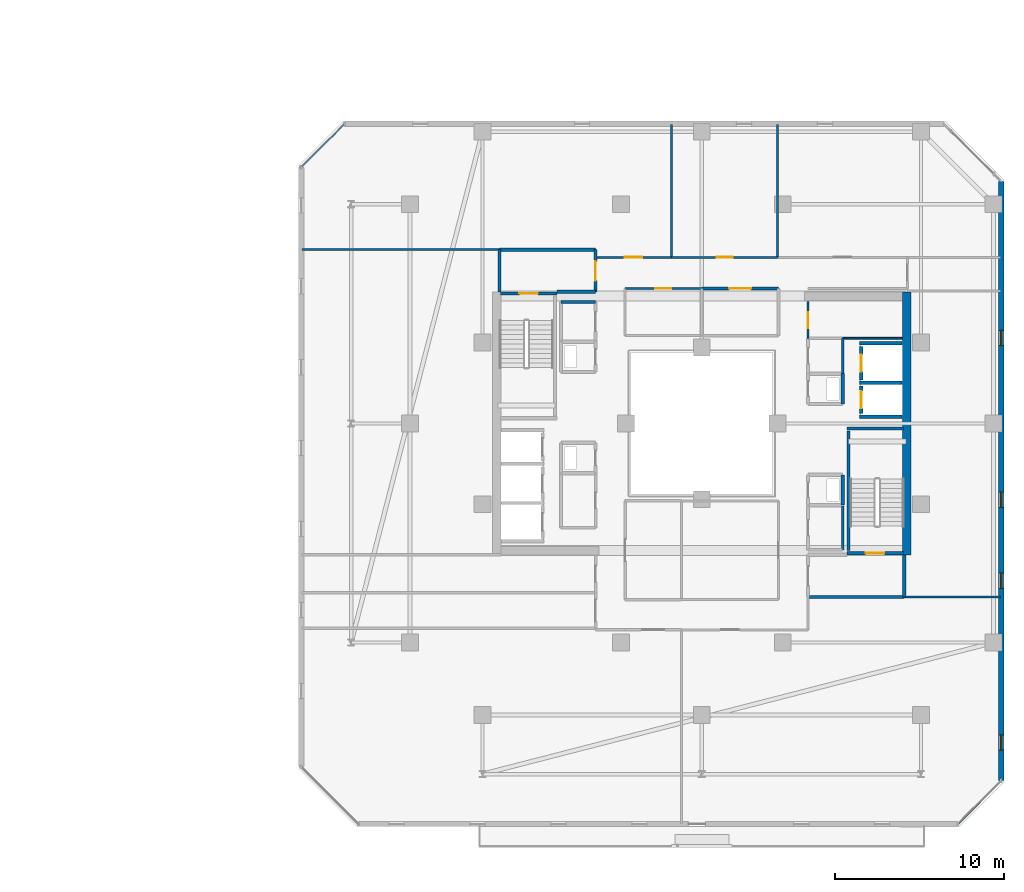
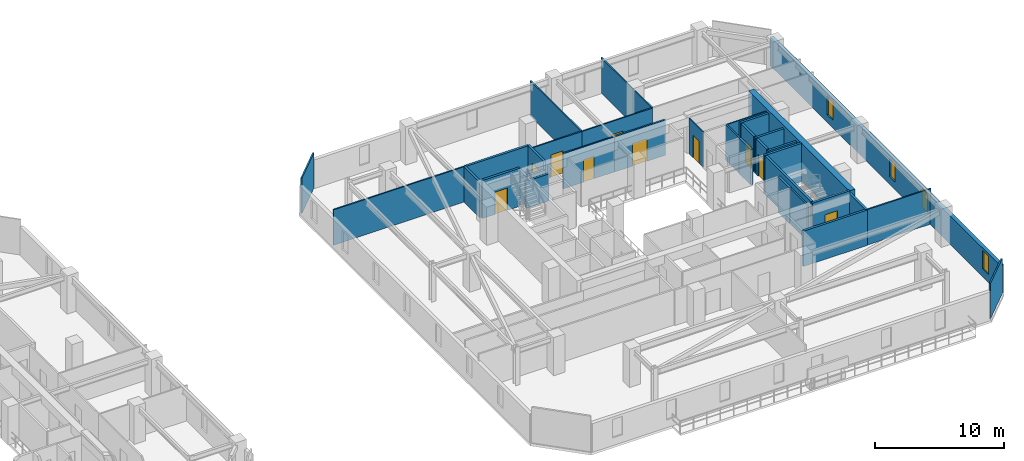
# One storey, part 25 of 33: 34 walls, 10 doors, 4 windows, 14 openings.
"""IFC4 building model written with IfcOpenShell, lengths in metres."""

from ifc_helpers import new_model, si_unit, direction, frame, frame_2d, origin, place, context, subcontext, project, spatial, rectangle, extrude, material, layer, layer_set, type_object, element, fill, save


model = new_model("IFC4")

# Units and contexts
model_context = context("Model", 3, precision=1e-05, world=origin(), true_north=direction((0.0, 1.0)))
body_context = subcontext(model_context, "Body", "Model", "MODEL_VIEW")
ifc_project = project(units=[si_unit("LENGTHUNIT", "METRE"), si_unit("AREAUNIT", "SQUARE_METRE"), si_unit("VOLUMEUNIT", "CUBIC_METRE"), si_unit("PLANEANGLEUNIT", "RADIAN"), si_unit("MASSUNIT", "GRAM", prefix="KILO")], contexts=[model_context])

# Site, building, storey
site_placement = place(None, origin())
site = spatial("IfcSite", under=ifc_project, at=site_placement, CompositionType="ELEMENT")
building_placement = place(site_placement, origin())
building = spatial("IfcBuilding", under=site, at=building_placement, Name="Thornwick Lancets Civic Towers", CompositionType="ELEMENT")
storey_placement = place(building_placement, frame((0.0, 0.0, 210.89990234375)))
storey = spatial("IfcBuildingStorey", under=building, at=storey_placement, Name="L56", CompositionType="ELEMENT", Elevation=210.89990234375)

# Wall, opening, door
ifc_material_1 = material(Name="Concrete blockwork C40/50", Category="masonry")
ifc_layer_1 = layer(ifc_material_1, 0.199951171875, Name="Concrete blockwork C40/50")
ifc_layer_set_1 = layer_set([ifc_layer_1], Name="Concrete blockwork C40/50")
wall_type_1 = type_object("IfcWallType", Name="WALL_COMP_200", PredefinedType="STANDARD", material=ifc_layer_set_1)
wall_1_placement = place(storey_placement, frame((97.949951171875, 29.219970703125, 0.0), z_axis=(0.0, 0.0, 1.0), x_axis=(0.0, -1.0, 0.0)))
wall_1 = element("IfcWall", 1, at=wall_1_placement, inside=storey, type_object=wall_type_1, Name="L56 Hoistway Front Wall FL-B1", PredefinedType="STANDARD", context=body_context, shape_type="SweptSolid", body=[
    extrude(rectangle(XDim=1.639892578125, YDim=0.199951171875, at=frame_2d((0.81982421875, 0.0))), origin(), (0.0, 0.0, 1.0), 3.340087890625),
])
opening_1_placement = place(wall_1_placement, frame((0.31005859375, 0.0, 0.0)))
opening_1 = element("IfcOpeningElement", 2, at=opening_1_placement, cuts=wall_1, Name="Opening LD-FL-B1", PredefinedType="OPENING", context=body_context, shape_type="SweptSolid", body=[
    extrude(rectangle(XDim=1.02001953125, YDim=2.06005859375, at=frame_2d((0.510009765625, 1.030029296875))), frame((0.0, 0.10986328125, 0.0), z_axis=(0.0, -1.0, 0.0), x_axis=(1.0, 0.0, 0.0)), (0.0, 0.0, 1.0), 0.219970703125),
])
ifc_material_2 = material(Name="Brushed bronze stainless steel", Category="steel")
door_type_1 = type_object("IfcDoorType", Name="DOOR_LIFT_SLIDE", OperationType="SLIDING_TO_LEFT", PredefinedType="DOOR", material=ifc_material_2)
door_1_placement = place(opening_1_placement, origin())
door_1 = element("IfcDoor", 3, at=door_1_placement, inside=storey, type_object=door_type_1, Name="L56 Sliding Lift Landing Door LD-FL-B1", OperationType="SLIDING_TO_LEFT", OverallHeight=2.06005859375, OverallWidth=1.02001953125, PredefinedType="DOOR", context=body_context, shape_type="SweptSolid", body=[
    extrude(rectangle(XDim=1.02001953125, YDim=2.06005859375, at=frame_2d((0.510009765625, 1.030029296875))), frame((0.0, 0.02490234375, 0.0), z_axis=(0.0, -1.0, 0.0), x_axis=(1.0, 0.0, 0.0)), (0.0, 0.0, 1.0), 0.050048828125),
])
fill(opening_1, door_1)

wall_2_placement = place(storey_placement, frame((97.949951171875, 31.570068359375, 0.0), z_axis=(0.0, 0.0, 1.0), x_axis=(0.0, -1.0, 0.0)))
wall_2 = element("IfcWall", 4, at=wall_2_placement, inside=storey, type_object=wall_type_1, Name="L56 Hoistway Front Wall PL-BH1", PredefinedType="STANDARD", context=body_context, shape_type="SweptSolid", body=[
    extrude(rectangle(XDim=1.989990234375, YDim=0.199951171875, at=frame_2d((0.9951171875, 0.0))), origin(), (0.0, 0.0, 1.0), 3.340087890625),
])
opening_2_placement = place(wall_2_placement, frame((0.485107421875, 0.0, 0.0)))
opening_2 = element("IfcOpeningElement", 5, at=opening_2_placement, cuts=wall_2, Name="Opening LD-PL-BH1", PredefinedType="OPENING", context=body_context, shape_type="SweptSolid", body=[
    extrude(rectangle(XDim=1.02001953125, YDim=2.06005859375, at=frame_2d((0.510009765625, 1.030029296875))), frame((0.0, 0.10986328125, 0.0), z_axis=(0.0, -1.0, 0.0), x_axis=(1.0, 0.0, 0.0)), (0.0, 0.0, 1.0), 0.219970703125),
])
door_2_placement = place(opening_2_placement, origin())
door_2 = element("IfcDoor", 6, at=door_2_placement, inside=storey, type_object=door_type_1, Name="L56 Sliding Lift Landing Door LD-PL-BH1", OperationType="SLIDING_TO_LEFT", OverallHeight=2.06005859375, OverallWidth=1.02001953125, PredefinedType="DOOR", context=body_context, shape_type="SweptSolid", body=[
    extrude(rectangle(XDim=1.02001953125, YDim=2.06005859375, at=frame_2d((0.510009765625, 1.030029296875))), frame((0.0, 0.02490234375, 0.0), z_axis=(0.0, -1.0, 0.0), x_axis=(1.0, 0.0, 0.0)), (0.0, 0.0, 1.0), 0.050048828125),
])
fill(opening_2, door_2)

# Walls
for number, where, z_axis, x_axis, name in (
    (7, (97.85205078125, 29.39990234375, 0.0), (0.0, 0.0, 1.0), (1.0, 0.0, 0.0), "L56 Hoistway Shaft Wall FL-B1 N"),
    (8, (97.85205078125, 27.39990234375, 0.0), (0.0, 0.0, 1.0), (1.0, 0.0, 0.0), "L56 Hoistway Shaft Wall FL-B1 S"),
    (9, (97.85205078125, 31.75, 0.0), (0.0, 0.0, 1.0), (1.0, 0.0, 0.0), "L56 Hoistway Shaft Wall PL-BH1 N"),
):
    element("IfcWall", number, at=place(storey_placement, frame(where, z_axis=z_axis, x_axis=x_axis)), inside=storey, type_object=wall_type_1, Name=name, PredefinedType="STANDARD", context=body_context, shape_type="SweptSolid", body=[
        extrude(rectangle(XDim=2.535888671875, YDim=0.199951171875, at=frame_2d((1.26806640625, 0.0))), origin(), (0.0, 0.0, 1.0), 3.340087890625),
    ])
wall_3_placement = place(storey_placement, frame((94.800048828125, 16.699951171875, 0.0), z_axis=(0.0, 0.0, 1.0), x_axis=(1.0, 0.0, 0.0)))
element("IfcWall", 10, at=wall_3_placement, inside=storey, type_object=wall_type_1, Name="L56 Partition L56-B-FFLOB1 E1", PredefinedType="STANDARD", context=body_context, shape_type="SweptSolid", body=[
    extrude(rectangle(XDim=5.699951171875, YDim=0.199951171875, at=frame_2d((2.85009765625, 0.0))), origin(), (0.0, 0.0, 1.0), 3.340087890625),
])
wall_4_placement = place(storey_placement, frame((100.5, 16.699951171875, 0.0), z_axis=(0.0, 0.0, 1.0), x_axis=(0.0, 1.0, 0.0)))
element("IfcWall", 11, at=wall_4_placement, inside=storey, type_object=wall_type_1, Name="L56 Partition L56-B-FFLOB1 E2", PredefinedType="STANDARD", context=body_context, shape_type="SweptSolid", body=[
    extrude(rectangle(XDim=2.5, YDim=0.199951171875, at=frame_2d((1.25, 0.0))), origin(), (0.0, 0.0, 1.0), 3.340087890625),
])
wall_5_placement = place(storey_placement, frame((79.89990234375, 34.800048828125, 0.0), z_axis=(0.0, 0.0, 1.0), x_axis=(1.0, 0.0, 0.0)))
element("IfcWall", 12, at=wall_5_placement, inside=storey, type_object=wall_type_1, Name="L56 Partition L56-B-FFLOB2 E1", PredefinedType="STANDARD", context=body_context, shape_type="SweptSolid", body=[
    extrude(rectangle(XDim=2.300048828125, YDim=0.199951171875, at=frame_2d((1.14990234375, 0.0))), origin(), (0.0, 0.0, 1.0), 2.545166015625),
])

# Wall, opening, door
wall_6_placement = place(storey_placement, frame((82.199951171875, 34.800048828125, 0.0), z_axis=(0.0, 0.0, 1.0), x_axis=(0.0, 1.0, 0.0)))
wall_6 = element("IfcWall", 13, at=wall_6_placement, inside=storey, type_object=wall_type_1, Name="L56 Partition L56-B-FFLOB2 E2", PredefinedType="STANDARD", context=body_context, shape_type="SweptSolid", body=[
    extrude(rectangle(XDim=2.5, YDim=0.199951171875, at=frame_2d((1.25, 0.0))), origin(), (0.0, 0.0, 1.0), 3.340087890625),
])
opening_3_placement = place(wall_6_placement, frame((0.659912109375, 0.0, 0.0)))
opening_3 = element("IfcOpeningElement", 14, at=opening_3_placement, cuts=wall_6, Name="Opening D-L56-2491", PredefinedType="OPENING", context=body_context, shape_type="SweptSolid", body=[
    extrude(rectangle(XDim=1.14990234375, YDim=2.10009765625, at=frame_2d((0.574951171875, 1.050048828125))), frame((0.0, 0.10986328125, 0.0), z_axis=(0.0, -1.0, 0.0), x_axis=(1.0, 0.0, 0.0)), (0.0, 0.0, 1.0), 0.219970703125),
])
ifc_material_3 = material(Name="Glazed fire-resisting steel", Category="steel")
door_type_2 = type_object("IfcDoorType", Name="DOOR_LOBBY_FD60", OperationType="NOTDEFINED", PredefinedType="DOOR", material=ifc_material_3)
door_3_placement = place(opening_3_placement, origin())
door_3 = element("IfcDoor", 15, at=door_3_placement, inside=storey, type_object=door_type_2, Name="L56 West Firefighting Lobby 2 Door", OperationType="SINGLE_SWING_RIGHT", OverallHeight=2.10009765625, OverallWidth=1.14990234375, PredefinedType="DOOR", context=body_context, shape_type="SweptSolid", body=[
    extrude(rectangle(XDim=1.14990234375, YDim=2.10009765625, at=frame_2d((0.574951171875, 1.050048828125))), frame((0.0, 0.02490234375, 0.0), z_axis=(0.0, -1.0, 0.0), x_axis=(1.0, 0.0, 0.0)), (0.0, 0.0, 1.0), 0.050048828125),
])
fill(opening_3, door_3)

# Walls
wall_7_placement = place(storey_placement, frame((82.199951171875, 37.300048828125, 0.0), z_axis=(0.0, 0.0, 1.0), x_axis=(-1.0, 0.0, 0.0)))
element("IfcWall", 16, at=wall_7_placement, inside=storey, type_object=wall_type_1, Name="L56 Partition L56-B-FFLOB2 E3", PredefinedType="STANDARD", context=body_context, shape_type="SweptSolid", body=[
    extrude(rectangle(XDim=5.699951171875, YDim=0.199951171875, at=frame_2d((2.85009765625, 0.0))), origin(), (0.0, 0.0, 1.0), 3.340087890625),
])
wall_8_placement = place(storey_placement, frame((76.5, 37.300048828125, 0.0), z_axis=(0.0, 0.0, 1.0), x_axis=(0.0, -1.0, 0.0)))
element("IfcWall", 17, at=wall_8_placement, inside=storey, type_object=wall_type_1, Name="L56 Partition L56-B-FFLOB2 E4", PredefinedType="STANDARD", context=body_context, shape_type="SweptSolid", body=[
    extrude(rectangle(XDim=2.5, YDim=0.199951171875, at=frame_2d((1.25, 0.0))), origin(), (0.0, 0.0, 1.0), 3.340087890625),
])
for number, where, z_axis, x_axis, name in (
    (18, (96.85009765625, 28.14990234375, 0.0), (0.0, 0.0, 1.0), (0.0, 1.0, 0.0), "L56 Partition L56-B-DUCT1 E2"),
    (19, (96.85009765625, 22.14990234375, 0.0), (0.0, 0.0, 1.0), (0.0, 1.0, 0.0), "L56 Partition L56-B-RISER1 E2"),
):
    element("IfcWall", number, at=place(storey_placement, frame(where, z_axis=z_axis, x_axis=x_axis)), inside=storey, type_object=wall_type_1, Name=name, PredefinedType="STANDARD", context=body_context, shape_type="SweptSolid", body=[
        extrude(rectangle(XDim=1.800048828125, YDim=0.199951171875, at=frame_2d((0.89990234375, 0.0))), origin(), (0.0, 0.0, 1.0), 3.340087890625),
    ])
wall_9_placement = place(storey_placement, frame((80.14990234375, 34.199951171875, 0.0), z_axis=(0.0, 0.0, 1.0), x_axis=(1.0, 0.0, 0.0)))
element("IfcWall", 20, at=wall_9_placement, inside=storey, type_object=wall_type_1, Name="L56 Partition L56-B-STR E2", PredefinedType="STANDARD", context=body_context, shape_type="SweptSolid", body=[
    extrude(rectangle(XDim=2.050048828125, YDim=0.199951171875, at=frame_2d((1.02490234375, 0.0))), origin(), (0.0, 0.0, 1.0), 2.545166015625),
])
ifc_material_4 = material(Name="Concrete C50/60", Category="concrete")
ifc_layer_2 = layer(ifc_material_4, 0.5, Name="Concrete C50/60")
ifc_layer_set_2 = layer_set([ifc_layer_2], Name="Concrete C50/60")
wall_type_2 = type_object("IfcWallType", Name="WALL_CORE_500", PredefinedType="SHEAR", material=ifc_layer_set_2)
wall_10_placement = place(storey_placement, frame((100.64990234375, 19.199951171875, 0.0), z_axis=(0.0, 0.0, 1.0), x_axis=(0.0, 1.0, 0.0)))
element("IfcWall", 21, at=wall_10_placement, inside=storey, type_object=wall_type_2, Name="L56 Split Core B1 Shear Wall E", PredefinedType="SHEAR", context=body_context, shape_type="SweptSolid", body=[
    extrude(rectangle(XDim=15.60009765625, YDim=0.5, at=frame_2d((7.800048828125, 0.0))), origin(), (0.0, 0.0, 1.0), 3.60009765625),
])

# Wall, openings, windows
ifc_material_5 = material(Name="Insulated buff terracotta rainscreen on concrete C40/50", Category="masonry")
ifc_layer_3 = layer(ifc_material_5, 0.320068359375, Name="Insulated buff terracotta rainscreen on concrete C40/50")
ifc_layer_set_3 = layer_set([ifc_layer_3], Name="Insulated buff terracotta rainscreen on concrete C40/50")
wall_type_3 = type_object("IfcWallType", Name="WALL_EXT_TERRA_320", PredefinedType="STANDARD", material=ifc_layer_set_3)
wall_11_placement = place(storey_placement, frame((106.2646484375, 5.818603515625, 0.0), z_axis=(0.0, 0.0, 1.0), x_axis=(-7.5574884e-05, 0.999999997144, 0.0)))
wall_11 = element("IfcWall", 22, at=wall_11_placement, inside=storey, type_object=wall_type_3, Name="L56 Tower B Terracotta Facade Wall E2", PredefinedType="STANDARD", context=body_context, shape_type="SweptSolid", body=[
    extrude(rectangle(XDim=35.534912109375, YDim=0.320068359375, at=frame_2d((17.767578125, 0.0))), origin(), (0.0, 0.0, 1.0), 2.7001953125),
])
opening_4_placement = place(wall_11_placement, frame((1.800048828125, 0.0, 0.719970703125)))
opening_4 = element("IfcOpeningElement", 23, at=opening_4_placement, cuts=wall_11, Name="Opening WL-01", PredefinedType="OPENING", context=body_context, shape_type="SweptSolid", body=[
    extrude(rectangle(XDim=0.89990234375, YDim=1.75, at=frame_2d((0.449951171875, 0.875))), frame((0.0, 0.169921875, 0.0), z_axis=(0.0, -1.0, 0.0), x_axis=(1.0, 0.0, 0.0)), (0.0, 0.0, 1.0), 0.340087890625),
])
opening_5_placement = place(wall_11_placement, frame((11.39990234375, 0.0, 0.719970703125)))
opening_5 = element("IfcOpeningElement", 24, at=opening_5_placement, cuts=wall_11, Name="Opening WL-01", PredefinedType="OPENING", context=body_context, shape_type="SweptSolid", body=[
    extrude(rectangle(XDim=0.89990234375, YDim=1.75, at=frame_2d((0.449951171875, 0.875))), frame((0.0, 0.169921875, 0.0), z_axis=(0.0, -1.0, 0.0), x_axis=(1.0, 0.0, 0.0)), (0.0, 0.0, 1.0), 0.340087890625),
])
opening_6_placement = place(wall_11_placement, frame((16.199951171875, 0.0, 0.719970703125)))
opening_6 = element("IfcOpeningElement", 25, at=opening_6_placement, cuts=wall_11, Name="Opening WL-01", PredefinedType="OPENING", context=body_context, shape_type="SweptSolid", body=[
    extrude(rectangle(XDim=0.89990234375, YDim=1.75, at=frame_2d((0.449951171875, 0.875))), frame((0.0, 0.169921875, 0.0), z_axis=(0.0, -1.0, 0.0), x_axis=(1.0, 0.0, 0.0)), (0.0, 0.0, 1.0), 0.340087890625),
])
opening_7_placement = place(wall_11_placement, frame((25.800048828125, 0.0, 0.719970703125)))
opening_7 = element("IfcOpeningElement", 26, at=opening_7_placement, cuts=wall_11, Name="Opening WL-01", PredefinedType="OPENING", context=body_context, shape_type="SweptSolid", body=[
    extrude(rectangle(XDim=0.89990234375, YDim=1.75, at=frame_2d((0.449951171875, 0.875))), frame((0.0, 0.169921875, 0.0), z_axis=(0.0, -1.0, 0.0), x_axis=(1.0, 0.0, 0.0)), (0.0, 0.0, 1.0), 0.340087890625),
])
ifc_material_6 = material(Name="Clear low-e double glazing in bronze frame", Category="glass")
window_type = type_object("IfcWindowType", Name="WIN_LANCET_900", PartitioningType="SINGLE_PANEL", PredefinedType="WINDOW", material=ifc_material_6)
window_1_placement = place(opening_4_placement, origin())
window_1 = element("IfcWindow", 27, at=window_1_placement, inside=storey, type_object=window_type, Name="L56 Tower B Staggered Lancet Window E2-1", OverallHeight=1.75, OverallWidth=0.89990234375, PartitioningType="SINGLE_PANEL", PredefinedType="WINDOW", context=body_context, shape_type="SweptSolid", body=[
    extrude(rectangle(XDim=0.89990234375, YDim=1.75, at=frame_2d((0.449951171875, 0.875))), frame((0.0, 0.030029296875, 0.0), z_axis=(0.0, -1.0, 0.0), x_axis=(1.0, 0.0, 0.0)), (0.0, 0.0, 1.0), 0.06005859375),
])
fill(opening_4, window_1)
window_2_placement = place(opening_5_placement, origin())
window_2 = element("IfcWindow", 28, at=window_2_placement, inside=storey, type_object=window_type, Name="L56 Tower B Staggered Lancet Window E2-2", OverallHeight=1.75, OverallWidth=0.89990234375, PartitioningType="SINGLE_PANEL", PredefinedType="WINDOW", context=body_context, shape_type="SweptSolid", body=[
    extrude(rectangle(XDim=0.89990234375, YDim=1.75, at=frame_2d((0.449951171875, 0.875))), frame((0.0, 0.030029296875, 0.0), z_axis=(0.0, -1.0, 0.0), x_axis=(1.0, 0.0, 0.0)), (0.0, 0.0, 1.0), 0.06005859375),
])
fill(opening_5, window_2)
window_3_placement = place(opening_6_placement, origin())
window_3 = element("IfcWindow", 29, at=window_3_placement, inside=storey, type_object=window_type, Name="L56 Tower B Staggered Lancet Window E2-3", OverallHeight=1.75, OverallWidth=0.89990234375, PartitioningType="SINGLE_PANEL", PredefinedType="WINDOW", context=body_context, shape_type="SweptSolid", body=[
    extrude(rectangle(XDim=0.89990234375, YDim=1.75, at=frame_2d((0.449951171875, 0.875))), frame((0.0, 0.030029296875, 0.0), z_axis=(0.0, -1.0, 0.0), x_axis=(1.0, 0.0, 0.0)), (0.0, 0.0, 1.0), 0.06005859375),
])
fill(opening_6, window_3)
window_4_placement = place(opening_7_placement, origin())
window_4 = element("IfcWindow", 30, at=window_4_placement, inside=storey, type_object=window_type, Name="L56 Tower B Staggered Lancet Window E2-4", OverallHeight=1.75, OverallWidth=0.89990234375, PartitioningType="SINGLE_PANEL", PredefinedType="WINDOW", context=body_context, shape_type="SweptSolid", body=[
    extrude(rectangle(XDim=0.89990234375, YDim=1.75, at=frame_2d((0.449951171875, 0.875))), frame((0.0, 0.030029296875, 0.0), z_axis=(0.0, -1.0, 0.0), x_axis=(1.0, 0.0, 0.0)), (0.0, 0.0, 1.0), 0.06005859375),
])
fill(opening_7, window_4)

# Wall, opening, door
ifc_material_7 = material(Name="Lightweight cellular office partition")
ifc_layer_4 = layer(ifc_material_7, 0.10009765625, Name="Lightweight cellular office partition")
ifc_layer_set_4 = layer_set([ifc_layer_4], Name="Lightweight cellular office partition")
wall_type_4 = type_object("IfcWallType", Name="WALL_PART_100", PredefinedType="PARTITIONING", material=ifc_layer_set_4)
wall_12_placement = place(storey_placement, frame((94.800048828125, 32.050048828125, 0.0), z_axis=(0.0, 0.0, 1.0), x_axis=(0.0, 1.0, 0.0)))
wall_12 = element("IfcWall", 31, at=wall_12_placement, inside=storey, type_object=wall_type_4, Name="L56 Partition L56-B-CLN E1", PredefinedType="PARTITIONING", context=body_context, shape_type="SweptSolid", body=[
    extrude(rectangle(XDim=2.14990234375, YDim=0.10009765625, at=frame_2d((1.074951171875, 0.0))), origin(), (0.0, 0.0, 1.0), 3.340087890625),
])
opening_8_placement = place(wall_12_placement, frame((0.60009765625, 0.0, 0.0)))
opening_8 = element("IfcOpeningElement", 32, at=opening_8_placement, cuts=wall_12, Name="Opening D-L56-2498", PredefinedType="OPENING", context=body_context, shape_type="SweptSolid", body=[
    extrude(rectangle(XDim=0.949951171875, YDim=2.10009765625, at=frame_2d((0.47509765625, 1.050048828125))), frame((0.0, 0.06005859375, 0.0), z_axis=(0.0, -1.0, 0.0), x_axis=(1.0, 0.0, 0.0)), (0.0, 0.0, 1.0), 0.1201171875),
])
ifc_material_8 = material(Name="European oak acoustic doorset")
door_type_3 = type_object("IfcDoorType", Name="DOOR_OFFICE_950", OperationType="NOTDEFINED", PredefinedType="DOOR", material=ifc_material_8)
door_4_placement = place(opening_8_placement, origin())
door_4 = element("IfcDoor", 33, at=door_4_placement, inside=storey, type_object=door_type_3, Name="L56 Tower B Cleaners Store Door", OperationType="SINGLE_SWING_LEFT", OverallHeight=2.10009765625, OverallWidth=0.949951171875, PredefinedType="DOOR", context=body_context, shape_type="SweptSolid", body=[
    extrude(rectangle(XDim=0.949951171875, YDim=2.10009765625, at=frame_2d((0.47509765625, 1.050048828125))), frame((0.0, 0.02490234375, 0.0), z_axis=(0.0, -1.0, 0.0), x_axis=(1.0, 0.0, 0.0)), (0.0, 0.0, 1.0), 0.050048828125),
])
fill(opening_8, door_4)

# Walls
wall_13_placement = place(storey_placement, frame((100.39990234375, 32.050048828125, 0.0), z_axis=(0.0, 0.0, 1.0), x_axis=(-1.0, 0.0, 0.0)))
element("IfcWall", 34, at=wall_13_placement, inside=storey, type_object=wall_type_4, Name="L56 Partition L56-B-CLN E4", PredefinedType="PARTITIONING", context=body_context, shape_type="SweptSolid", body=[
    extrude(rectangle(XDim=3.5498046875, YDim=0.10009765625, at=frame_2d((1.77490234375, 0.0))), origin(), (0.0, 0.0, 1.0), 3.340087890625),
])
ifc_material_9 = material(Name="Acoustic gypsum board partition")
ifc_layer_5 = layer(ifc_material_9, 0.1201171875, Name="Acoustic gypsum board partition")
ifc_layer_set_5 = layer_set([ifc_layer_5], Name="Acoustic gypsum board partition")
wall_type_5 = type_object("IfcWallType", Name="WALL_PART_120", PredefinedType="PARTITIONING", material=ifc_layer_set_5)
wall_14_placement = place(storey_placement, frame((100.5, 16.699951171875, 0.0), z_axis=(0.0, 0.0, 1.0), x_axis=(1.0, 0.0, 0.0)))
element("IfcWall", 35, at=wall_14_placement, inside=storey, type_object=wall_type_5, Name="L56 Partition L56-B-W1 E7", PredefinedType="PARTITIONING", context=body_context, shape_type="SweptSolid", body=[
    extrude(rectangle(XDim=5.719970703125, YDim=0.1201171875, at=frame_2d((2.85986328125, 0.0))), origin(), (0.0, 0.0, 1.0), 3.340087890625),
])
wall_15_placement = place(storey_placement, frame((106.219970703125, 5.774658203125, 0.0), z_axis=(0.0, 0.0, 1.0), x_axis=(-0.707106781187, -0.707106781187, 0.0)))
element("IfcWall", 36, at=wall_15_placement, inside=storey, type_object=wall_type_5, Name="L56 Partition L56-B-W1 E9", PredefinedType="PARTITIONING", context=body_context, shape_type="SweptSolid", body=[
    extrude(rectangle(XDim=3.52783203125, YDim=0.1201171875, at=frame_2d((1.763916015625, 0.0))), origin(), (0.0, 0.0, 1.0), 3.340087890625),
])
for number, where, z_axis, x_axis, name in (
    (37, (93.0, 36.85009765625, 0.0), (0.0, 0.0, 1.0), (0.0, 1.0, 0.0), "L56 Partition L56-B-E1 E2"),
    (38, (86.699951171875, 36.85009765625, 0.0), (0.0, 0.0, 1.0), (0.0, 1.0, 0.0), "L56 Partition L56-B-E2 E1"),
):
    element("IfcWall", number, at=place(storey_placement, frame(where, z_axis=z_axis, x_axis=x_axis)), inside=storey, type_object=wall_type_5, Name=name, PredefinedType="PARTITIONING", context=body_context, shape_type="SweptSolid", body=[
        extrude(rectangle(XDim=7.869873046875, YDim=0.1201171875, at=frame_2d((3.93505859375, 0.0))), origin(), (0.0, 0.0, 1.0), 3.340087890625),
    ])

# Wall, opening, door
wall_16_placement = place(storey_placement, frame((93.0, 36.85009765625, 0.0), z_axis=(0.0, 0.0, 1.0), x_axis=(-1.0, 0.0, 0.0)))
wall_16 = element("IfcWall", 39, at=wall_16_placement, inside=storey, type_object=wall_type_5, Name="L56 Partition L56-B-E2 E4", PredefinedType="PARTITIONING", context=body_context, shape_type="SweptSolid", body=[
    extrude(rectangle(XDim=6.300048828125, YDim=0.1201171875, at=frame_2d((3.14990234375, 0.0))), origin(), (0.0, 0.0, 1.0), 3.340087890625),
])
opening_9_placement = place(wall_16_placement, frame((2.675048828125, 0.0, 0.0)))
opening_9 = element("IfcOpeningElement", 40, at=opening_9_placement, cuts=wall_16, Name="Opening D-L56-2521", PredefinedType="OPENING", context=body_context, shape_type="SweptSolid", body=[
    extrude(rectangle(XDim=0.949951171875, YDim=2.10009765625, at=frame_2d((0.47509765625, 1.050048828125))), frame((0.0, 0.070068359375, 0.0), z_axis=(0.0, -1.0, 0.0), x_axis=(1.0, 0.0, 0.0)), (0.0, 0.0, 1.0), 0.14013671875),
])
door_5_placement = place(opening_9_placement, origin())
door_5 = element("IfcDoor", 41, at=door_5_placement, inside=storey, type_object=door_type_3, Name="L56 Tower B Visitors Reception and Waiting Door", OperationType="SINGLE_SWING_RIGHT", OverallHeight=2.10009765625, OverallWidth=0.949951171875, PredefinedType="DOOR", context=body_context, shape_type="SweptSolid", body=[
    extrude(rectangle(XDim=0.949951171875, YDim=2.10009765625, at=frame_2d((0.47509765625, 1.050048828125))), frame((0.0, 0.02490234375, 0.0), z_axis=(0.0, -1.0, 0.0), x_axis=(1.0, 0.0, 0.0)), (0.0, 0.0, 1.0), 0.050048828125),
])
fill(opening_9, door_5)

# Walls
wall_17_placement = place(storey_placement, frame((76.5, 37.300048828125, 0.0), z_axis=(0.0, 0.0, 1.0), x_axis=(-1.0, 0.0, 0.0)))
element("IfcWall", 42, at=wall_17_placement, inside=storey, type_object=wall_type_5, Name="L56 Partition L56-B-E3 E3", PredefinedType="PARTITIONING", context=body_context, shape_type="SweptSolid", body=[
    extrude(rectangle(XDim=11.719970703125, YDim=0.1201171875, at=frame_2d((5.85986328125, 0.0))), origin(), (0.0, 0.0, 1.0), 3.340087890625),
])
wall_18_placement = place(storey_placement, frame((64.780029296875, 42.225341796875, 0.0), z_axis=(0.0, 0.0, 1.0), x_axis=(0.707106781187, 0.707106781187, 0.0)))
element("IfcWall", 43, at=wall_18_placement, inside=storey, type_object=wall_type_5, Name="L56 Partition L56-B-E3 E5", PredefinedType="PARTITIONING", context=body_context, shape_type="SweptSolid", body=[
    extrude(rectangle(XDim=3.52783203125, YDim=0.1201171875, at=frame_2d((1.763916015625, 0.0))), origin(), (0.0, 0.0, 1.0), 3.340087890625),
])

# Wall, opening, door
wall_19_placement = place(storey_placement, frame((86.699951171875, 36.85009765625, 0.0), z_axis=(0.0, 0.0, 1.0), x_axis=(-1.0, 0.0, 0.0)))
wall_19 = element("IfcWall", 44, at=wall_19_placement, inside=storey, type_object=wall_type_5, Name="L56 Partition L56-B-E3 E8", PredefinedType="PARTITIONING", context=body_context, shape_type="SweptSolid", body=[
    extrude(rectangle(XDim=4.5, YDim=0.1201171875, at=frame_2d((2.25, 0.0))), origin(), (0.0, 0.0, 1.0), 3.340087890625),
])
opening_10_placement = place(wall_19_placement, frame((1.72509765625, 0.0, 0.0)))
opening_10 = element("IfcOpeningElement", 45, at=opening_10_placement, cuts=wall_19, Name="Opening D-L56-2522", PredefinedType="OPENING", context=body_context, shape_type="SweptSolid", body=[
    extrude(rectangle(XDim=1.050048828125, YDim=2.10009765625, at=frame_2d((0.52490234375, 1.050048828125))), frame((0.0, 0.070068359375, 0.0), z_axis=(0.0, -1.0, 0.0), x_axis=(1.0, 0.0, 0.0)), (0.0, 0.0, 1.0), 0.14013671875),
])
ifc_material_10 = material(Name="Glazed European oak executive doorset")
door_type_4 = type_object("IfcDoorType", Name="DOOR_OFFICE_1050", OperationType="NOTDEFINED", PredefinedType="DOOR", material=ifc_material_10)
door_6_placement = place(opening_10_placement, origin())
door_6 = element("IfcDoor", 46, at=door_6_placement, inside=storey, type_object=door_type_4, Name="L56 Tower B Civic Seminar Room Door", OperationType="SINGLE_SWING_LEFT", OverallHeight=2.10009765625, OverallWidth=1.050048828125, PredefinedType="DOOR", context=body_context, shape_type="SweptSolid", body=[
    extrude(rectangle(XDim=1.050048828125, YDim=2.10009765625, at=frame_2d((0.52490234375, 1.050048828125))), frame((0.0, 0.02490234375, 0.0), z_axis=(0.0, -1.0, 0.0), x_axis=(1.0, 0.0, 0.0)), (0.0, 0.0, 1.0), 0.050048828125),
])
fill(opening_10, door_6)

wall_20_placement = place(storey_placement, frame((83.949951171875, 35.0, 0.0), z_axis=(0.0, 0.0, 1.0), x_axis=(1.0, 0.0, 0.0)))
wall_20 = element("IfcWall", 47, at=wall_20_placement, inside=storey, type_object=wall_type_5, Name="L56 Partition L56-B-E-ATR-2 E2", PredefinedType="PARTITIONING", context=body_context, shape_type="SweptSolid", body=[
    extrude(rectangle(XDim=4.550048828125, YDim=0.1201171875, at=frame_2d((2.27490234375, 0.0))), origin(), (0.0, 0.0, 1.0), 3.340087890625),
])
opening_11_placement = place(wall_20_placement, frame((1.800048828125, 0.0, 0.0)))
opening_11 = element("IfcOpeningElement", 48, at=opening_11_placement, cuts=wall_20, Name="Opening D-L56-2524", PredefinedType="OPENING", context=body_context, shape_type="SweptSolid", body=[
    extrude(rectangle(XDim=0.949951171875, YDim=2.10009765625, at=frame_2d((0.47509765625, 1.050048828125))), frame((0.0, 0.070068359375, 0.0), z_axis=(0.0, -1.0, 0.0), x_axis=(1.0, 0.0, 0.0)), (0.0, 0.0, 1.0), 0.14013671875),
])
door_7_placement = place(opening_11_placement, origin())
door_7 = element("IfcDoor", 49, at=door_7_placement, inside=storey, type_object=door_type_3, Name="L56 Tower B Atrium Research Suite Door", OperationType="SINGLE_SWING_LEFT", OverallHeight=2.10009765625, OverallWidth=0.949951171875, PredefinedType="DOOR", context=body_context, shape_type="SweptSolid", body=[
    extrude(rectangle(XDim=0.949951171875, YDim=2.10009765625, at=frame_2d((0.47509765625, 1.050048828125))), frame((0.0, 0.02490234375, 0.0), z_axis=(0.0, -1.0, 0.0), x_axis=(1.0, 0.0, 0.0)), (0.0, 0.0, 1.0), 0.050048828125),
])
fill(opening_11, door_7)

# Walls
ifc_material_11 = material(Name="Twin-stud acoustic gypsum board")
ifc_layer_6 = layer(ifc_material_11, 0.14990234375, Name="Twin-stud acoustic gypsum board")
ifc_layer_set_6 = layer_set([ifc_layer_6], Name="Twin-stud acoustic gypsum board")
wall_type_6 = type_object("IfcWallType", Name="WALL_PART_150", PredefinedType="PARTITIONING", material=ifc_layer_set_6)
wall_21_placement = place(storey_placement, frame((96.85009765625, 19.5, 0.0), z_axis=(0.0, 0.0, 1.0), x_axis=(0.0, 1.0, 0.0)))
element("IfcWall", 50, at=wall_21_placement, inside=storey, type_object=wall_type_6, Name="L56 Partition L56-B-AWC E2", PredefinedType="PARTITIONING", context=body_context, shape_type="SweptSolid", body=[
    extrude(rectangle(XDim=2.60009765625, YDim=0.14990234375, at=frame_2d((1.300048828125, 0.0))), origin(), (0.0, 0.0, 1.0), 3.340087890625),
])
wall_22_placement = place(storey_placement, frame((96.85009765625, 32.050048828125, 0.0), z_axis=(0.0, 0.0, 1.0), x_axis=(0.0, -1.0, 0.0)))
element("IfcWall", 51, at=wall_22_placement, inside=storey, type_object=wall_type_6, Name="L56 Partition L56-B-MWC E3", PredefinedType="PARTITIONING", context=body_context, shape_type="SweptSolid", body=[
    extrude(rectangle(XDim=2.10009765625, YDim=0.14990234375, at=frame_2d((1.050048828125, 0.0))), origin(), (0.0, 0.0, 1.0), 3.340087890625),
])

# Wall, opening, door
wall_23_placement = place(storey_placement, frame((88.5, 35.0, 0.0), z_axis=(0.0, 0.0, 1.0), x_axis=(1.0, 0.0, 0.0)))
wall_23 = element("IfcWall", 52, at=wall_23_placement, inside=storey, type_object=wall_type_6, Name="L56 Partition L56-B-E-ATR-1 E2", PredefinedType="PARTITIONING", context=body_context, shape_type="SweptSolid", body=[
    extrude(rectangle(XDim=4.550048828125, YDim=0.14990234375, at=frame_2d((2.27490234375, 0.0))), origin(), (0.0, 0.0, 1.0), 3.340087890625),
])
opening_12_placement = place(wall_23_placement, frame((1.625, 0.0, 0.0)))
opening_12 = element("IfcOpeningElement", 53, at=opening_12_placement, cuts=wall_23, Name="Opening D-L56-2523", PredefinedType="OPENING", context=body_context, shape_type="SweptSolid", body=[
    extrude(rectangle(XDim=1.300048828125, YDim=2.1201171875, at=frame_2d((0.64990234375, 1.06005859375))), frame((0.0, 0.0849609375, 0.0), z_axis=(0.0, -1.0, 0.0), x_axis=(1.0, 0.0, 0.0)), (0.0, 0.0, 1.0), 0.169921875),
])
ifc_material_12 = material(Name="Acoustic oak leaf-and-a-half doorset")
door_type_5 = type_object("IfcDoorType", Name="DOOR_MEET_1300", OperationType="DOUBLE_DOOR_SINGLE_SWING", PredefinedType="DOOR", material=ifc_material_12)
door_8_placement = place(opening_12_placement, origin())
door_8 = element("IfcDoor", 54, at=door_8_placement, inside=storey, type_object=door_type_5, Name="L56 Tower B Atrium Briefing Room Door", OperationType="DOUBLE_DOOR_SINGLE_SWING", OverallHeight=2.1201171875, OverallWidth=1.300048828125, PredefinedType="DOOR", context=body_context, shape_type="SweptSolid", body=[
    extrude(rectangle(XDim=1.300048828125, YDim=2.1201171875, at=frame_2d((0.64990234375, 1.06005859375))), frame((0.0, 0.02490234375, 0.0), z_axis=(0.0, -1.0, 0.0), x_axis=(1.0, 0.0, 0.0)), (0.0, 0.0, 1.0), 0.050048828125),
])
fill(opening_12, door_8)

ifc_material_13 = material(Name="Concrete C40/50", Category="concrete")
ifc_layer_7 = layer(ifc_material_13, 0.199951171875, Name="Concrete C40/50")
ifc_layer_set_7 = layer_set([ifc_layer_7], Name="Concrete C40/50")
wall_type_7 = type_object("IfcWallType", Name="WALL_SHAFT_200", PredefinedType="SHEAR", material=ifc_layer_set_7)
wall_24_placement = place(storey_placement, frame((100.449951171875, 19.300048828125, 0.0), z_axis=(0.0, 0.0, 1.0), x_axis=(-1.0, 0.0, 0.0)))
wall_24 = element("IfcWall", 55, at=wall_24_placement, inside=storey, type_object=wall_type_7, Name="L56 ST-B1 Fire Stair Core Wall NEAR", PredefinedType="SHEAR", context=body_context, shape_type="SweptSolid", body=[
    extrude(rectangle(XDim=3.349853515625, YDim=0.199951171875, at=frame_2d((1.6748046875, 0.0))), origin(), (0.0, 0.0, 1.0), 3.60009765625),
])
opening_13_placement = place(wall_24_placement, frame((1.125, 0.0, 0.0)))
opening_13 = element("IfcOpeningElement", 56, at=opening_13_placement, cuts=wall_24, Name="Opening D-ST-B1-L56", PredefinedType="OPENING", context=body_context, shape_type="SweptSolid", body=[
    extrude(rectangle(XDim=1.10009765625, YDim=2.10009765625, at=frame_2d((0.550048828125, 1.050048828125))), frame((0.0, 0.10986328125, 0.0), z_axis=(0.0, -1.0, 0.0), x_axis=(1.0, 0.0, 0.0)), (0.0, 0.0, 1.0), 0.219970703125),
])
ifc_material_14 = material(Name="Fire-resisting steel and hardwood", Category="steel")
door_type_6 = type_object("IfcDoorType", Name="DOOR_STAIR_FD60", OperationType="NOTDEFINED", PredefinedType="DOOR", material=ifc_material_14)
door_9_placement = place(opening_13_placement, origin())
door_9 = element("IfcDoor", 57, at=door_9_placement, inside=storey, type_object=door_type_6, Name="L56 ST-B1 Exit Stair Door", OperationType="SINGLE_SWING_RIGHT", OverallHeight=2.10009765625, OverallWidth=1.10009765625, PredefinedType="DOOR", context=body_context, shape_type="SweptSolid", body=[
    extrude(rectangle(XDim=1.10009765625, YDim=2.10009765625, at=frame_2d((0.550048828125, 1.050048828125))), frame((0.0, 0.02490234375, 0.0), z_axis=(0.0, -1.0, 0.0), x_axis=(1.0, 0.0, 0.0)), (0.0, 0.0, 1.0), 0.050048828125),
])
fill(opening_13, door_9)

# Walls
wall_25_placement = place(storey_placement, frame((97.10009765625, 26.699951171875, 0.0), z_axis=(0.0, 0.0, 1.0), x_axis=(1.0, 0.0, 0.0)))
element("IfcWall", 58, at=wall_25_placement, inside=storey, type_object=wall_type_7, Name="L56 ST-B1 Fire Stair Core Wall FAR", PredefinedType="SHEAR", context=body_context, shape_type="SweptSolid", body=[
    extrude(rectangle(XDim=3.349853515625, YDim=0.199951171875, at=frame_2d((1.6748046875, 0.0))), origin(), (0.0, 0.0, 1.0), 3.60009765625),
])
wall_26_placement = place(storey_placement, frame((97.202880859375, 26.550048828125, 0.0), z_axis=(0.0, 0.0, 1.0), x_axis=(0.0, -1.0, 0.0)))
element("IfcWall", 59, at=wall_26_placement, inside=storey, type_object=wall_type_7, Name="L56 ST-B1 Fire Stair Core Wall RIGHT", PredefinedType="SHEAR", context=body_context, shape_type="SweptSolid", body=[
    extrude(rectangle(XDim=7.10009765625, YDim=0.199951171875, at=frame_2d((3.550048828125, 0.0))), origin(), (0.0, 0.0, 1.0), 3.60009765625),
])

# Wall, opening, door
wall_27_placement = place(storey_placement, frame((76.550048828125, 34.699951171875, 0.0), z_axis=(0.0, 0.0, 1.0), x_axis=(1.0, 0.0, 0.0)))
wall_27 = element("IfcWall", 60, at=wall_27_placement, inside=storey, type_object=wall_type_7, Name="L56 ST-B2 Fire Stair Core Wall NEAR", PredefinedType="SHEAR", context=body_context, shape_type="SweptSolid", body=[
    extrude(rectangle(XDim=3.349853515625, YDim=0.199951171875, at=frame_2d((1.6748046875, 0.0))), origin(), (0.0, 0.0, 1.0), 3.60009765625),
])
opening_14_placement = place(wall_27_placement, frame((1.125, 0.0, 0.0)))
opening_14 = element("IfcOpeningElement", 61, at=opening_14_placement, cuts=wall_27, Name="Opening D-ST-B2-L56", PredefinedType="OPENING", context=body_context, shape_type="SweptSolid", body=[
    extrude(rectangle(XDim=1.10009765625, YDim=2.10009765625, at=frame_2d((0.550048828125, 1.050048828125))), frame((0.0, 0.10986328125, 0.0), z_axis=(0.0, -1.0, 0.0), x_axis=(1.0, 0.0, 0.0)), (0.0, 0.0, 1.0), 0.219970703125),
])
door_10_placement = place(opening_14_placement, origin())
door_10 = element("IfcDoor", 62, at=door_10_placement, inside=storey, type_object=door_type_6, Name="L56 ST-B2 Exit Stair Door", OperationType="SINGLE_SWING_LEFT", OverallHeight=2.10009765625, OverallWidth=1.10009765625, PredefinedType="DOOR", context=body_context, shape_type="SweptSolid", body=[
    extrude(rectangle(XDim=1.10009765625, YDim=2.10009765625, at=frame_2d((0.550048828125, 1.050048828125))), frame((0.0, 0.02490234375, 0.0), z_axis=(0.0, -1.0, 0.0), x_axis=(1.0, 0.0, 0.0)), (0.0, 0.0, 1.0), 0.050048828125),
])
fill(opening_14, door_10)

save(model, "model.ifc")
